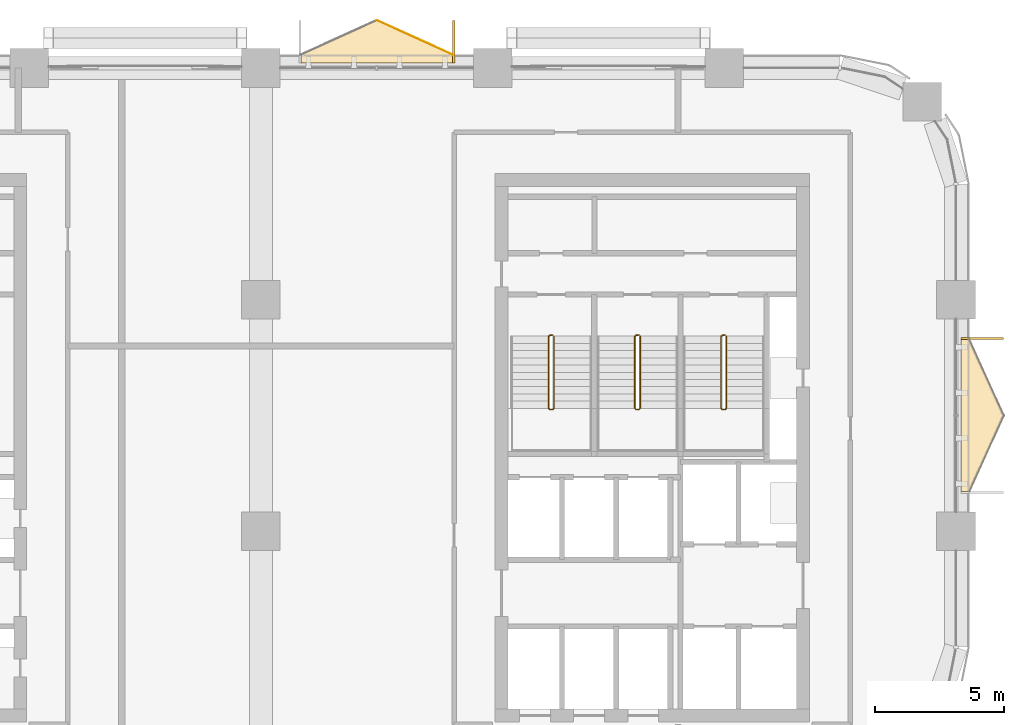
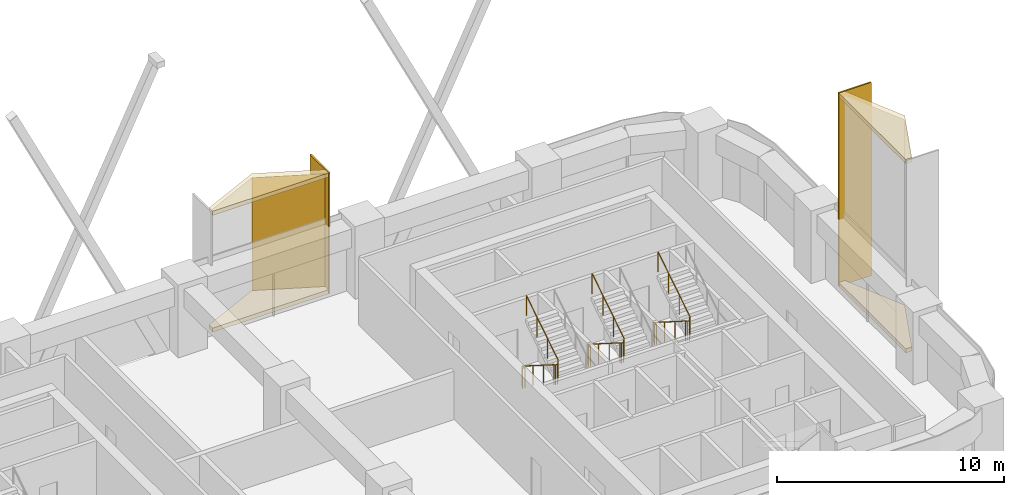
# One storey, part 14 of 14: 7 coverings, 3 railings.
"""IFC4 building model written with IfcOpenShell, lengths in metres."""

from ifc_helpers import new_model, si_unit, direction, frame, origin, origin_2d, place, context, subcontext, project, spatial, polyline, rectangle, circle, outline, extrude, material, layer, layer_set, type_object, element, save


model = new_model("IFC4")

# Units and contexts
model_context = context("Model", 3, precision=1e-05, world=origin(), true_north=direction((0.0, 1.0)))
body_context = subcontext(model_context, "Body", "Model", "MODEL_VIEW")
ifc_project = project(units=[si_unit("LENGTHUNIT", "METRE"), si_unit("AREAUNIT", "SQUARE_METRE"), si_unit("VOLUMEUNIT", "CUBIC_METRE"), si_unit("PLANEANGLEUNIT", "RADIAN"), si_unit("MASSUNIT", "GRAM", prefix="KILO")], contexts=[model_context])

# Site, building, storey
site_placement = place(None, origin())
site = spatial("IfcSite", under=ifc_project, at=site_placement, CompositionType="ELEMENT")
building_placement = place(site_placement, origin())
building = spatial("IfcBuilding", under=site, at=building_placement, Name="Tessera Arch", CompositionType="ELEMENT")
storey_placement = place(building_placement, frame((0.0, 0.0, 181.699951171875)))
storey = spatial("IfcBuildingStorey", under=building, at=storey_placement, Name="L43", CompositionType="ELEMENT", Elevation=181.699951171875)

# Railings
ifc_material_1 = material(Name="Painted steel balustrade", Category="steel")
railing_type = type_object("IfcRailingType", Name="Stair guard 1100", PredefinedType="GUARDRAIL", material=ifc_material_1)
railing_1_placement = place(storey_placement, frame((38.219970703125, 43.6298828125, 0.0)))
element("IfcRailing", 1, at=railing_1_placement, inside=storey, type_object=railing_type, Name="L43 S1a stair guard 1", PredefinedType="GUARDRAIL", context=body_context, shape_type="SweptSolid", body=[
    extrude(circle(Radius=0.02392578125, at=origin_2d()), frame((-0.00390625, 0.0, 1.076171875), z_axis=(1.0, 0.0, 0.0), x_axis=(0.0, 1.0, 0.0)), (0.0, 0.0, 1.0), 0.1181640625),
    extrude(circle(Radius=0.02392578125, at=origin_2d()), frame((0.11279296875, 0.000732421875, 1.0732421875), z_axis=(-0.656319048605, -0.204099216335, 0.726353093426), x_axis=(0.296948579431, -0.954893471113, 0.0)), (0.0, 0.0, 1.0), 0.251953125),
    extrude(circle(Radius=0.02392578125, at=origin_2d()), frame((-0.050048828125, -0.04638671875, 1.251220703125), z_axis=(0.0, -0.844908973607, 0.534910110503), x_axis=(1.0, 0.0, 0.0)), (0.0, 0.0, 1.0), 3.322021484375),
    extrude(circle(Radius=0.02392578125, at=origin_2d()), frame((-0.052978515625, -2.846923828125, 3.02587890625), z_axis=(0.707106781187, -0.707106781187, 0.0), x_axis=(0.707106781187, 0.707106781187, 0.0)), (0.0, 0.0, 1.0), 0.078857421875),
    extrude(circle(Radius=0.02392578125, at=origin_2d()), frame((-0.00390625, -2.89990234375, 3.02587890625), z_axis=(1.0, 0.0, 0.0), x_axis=(0.0, 1.0, 0.0)), (0.0, 0.0, 1.0), 0.1181640625),
    extrude(circle(Radius=0.02392578125, at=origin_2d()), frame((0.109130859375, -2.90087890625, 3.022216796875), z_axis=(0.260731885961, 0.262009983441, 0.929176868105), x_axis=(-0.708833529934, 0.705375805398, 0.0)), (0.0, 0.0, 1.0), 0.198974609375),
    extrude(circle(Radius=0.02392578125, at=origin_2d()), frame((0.159912109375, -2.853271484375, 3.201416015625), z_axis=(0.0, 0.844908973607, 0.534910110503), x_axis=(-1.0, 0.0, 0.0)), (0.0, 0.0, 1.0), 3.322021484375),
    extrude(circle(Radius=0.02099609375, at=origin_2d()), origin(), (0.0, 0.0, 1.0), 1.06396484375),
    extrude(circle(Radius=0.02099609375, at=origin_2d()), frame((0.110107421875, 0.0, 0.0)), (0.0, 0.0, 1.0), 1.06396484375),
    extrude(circle(Radius=0.02099609375, at=origin_2d()), frame((-0.050048828125, -0.0498046875, 0.17724609375)), (0.0, 0.0, 1.0), 1.06396484375),
    extrude(circle(Radius=0.02099609375, at=origin_2d()), frame((-0.050048828125, -0.983154296875, 0.76806640625)), (0.0, 0.0, 1.0), 1.06396484375),
    extrude(circle(Radius=0.02099609375, at=origin_2d()), frame((-0.050048828125, -1.91650390625, 1.359130859375)), (0.0, 0.0, 1.0), 1.06396484375),
    extrude(circle(Radius=0.02099609375, at=origin_2d()), frame((-0.050048828125, -2.849853515625, 1.949951171875)), (0.0, 0.0, 1.0), 1.06396484375),
    extrude(circle(Radius=0.02099609375, at=origin_2d()), frame((0.0, -2.89990234375, 1.949951171875)), (0.0, 0.0, 1.0), 1.06396484375),
    extrude(circle(Radius=0.02099609375, at=origin_2d()), frame((0.110107421875, -2.89990234375, 1.949951171875)), (0.0, 0.0, 1.0), 1.06396484375),
    extrude(circle(Radius=0.02099609375, at=origin_2d()), frame((0.159912109375, -2.849853515625, 2.12744140625)), (0.0, 0.0, 1.0), 1.06396484375),
    extrude(circle(Radius=0.02099609375, at=origin_2d()), frame((0.159912109375, -1.91650390625, 2.71826171875)), (0.0, 0.0, 1.0), 1.06396484375),
    extrude(circle(Radius=0.02099609375, at=origin_2d()), frame((0.159912109375, -0.983154296875, 3.309326171875)), (0.0, 0.0, 1.0), 1.06396484375),
    extrude(circle(Radius=0.02099609375, at=origin_2d()), frame((0.159912109375, -0.0498046875, 3.900146484375)), (0.0, 0.0, 1.0), 1.06396484375),
])
railing_2_placement = place(storey_placement, frame((41.570068359375, 43.6298828125, 0.0)))
element("IfcRailing", 2, at=railing_2_placement, inside=storey, type_object=railing_type, Name="L43 S1b stair guard 1", PredefinedType="GUARDRAIL", context=body_context, shape_type="SweptSolid", body=[
    extrude(circle(Radius=0.02392578125, at=origin_2d()), frame((-0.00390625, 0.0, 1.076171875), z_axis=(1.0, 0.0, 0.0), x_axis=(0.0, 1.0, 0.0)), (0.0, 0.0, 1.0), 0.117919921875),
    extrude(circle(Radius=0.02392578125, at=origin_2d()), frame((0.112548828125, 0.000732421875, 1.0732421875), z_axis=(-0.65574896516, -0.204233265485, 0.726830150696), x_axis=(0.297361876254, -0.954764847777, 0.0)), (0.0, 0.0, 1.0), 0.251953125),
    extrude(circle(Radius=0.02392578125, at=origin_2d()), frame((-0.050048828125, -0.04638671875, 1.251220703125), z_axis=(0.0, -0.844908973607, 0.534910110503), x_axis=(1.0, 0.0, 0.0)), (0.0, 0.0, 1.0), 3.322021484375),
    extrude(circle(Radius=0.02392578125, at=origin_2d()), frame((-0.052978515625, -2.846923828125, 3.02587890625), z_axis=(0.707106781187, -0.707106781187, 0.0), x_axis=(0.707106781187, 0.707106781187, 0.0)), (0.0, 0.0, 1.0), 0.078857421875),
    extrude(circle(Radius=0.02392578125, at=origin_2d()), frame((-0.00390625, -2.89990234375, 3.02587890625), z_axis=(1.0, 0.0, 0.0), x_axis=(0.0, 1.0, 0.0)), (0.0, 0.0, 1.0), 0.117919921875),
    extrude(circle(Radius=0.02392578125, at=origin_2d()), frame((0.10888671875, -2.90087890625, 3.022216796875), z_axis=(0.261922500866, 0.261922500866, 0.928866625022), x_axis=(-0.707106781187, 0.707106781187, 0.0)), (0.0, 0.0, 1.0), 0.198974609375),
    extrude(circle(Radius=0.02392578125, at=origin_2d()), frame((0.159912109375, -2.853271484375, 3.201416015625), z_axis=(0.0, 0.844908973607, 0.534910110503), x_axis=(-1.0, 0.0, 0.0)), (0.0, 0.0, 1.0), 3.322021484375),
    extrude(circle(Radius=0.02099609375, at=origin_2d()), origin(), (0.0, 0.0, 1.0), 1.06396484375),
    extrude(circle(Radius=0.02099609375, at=origin_2d()), frame((0.10986328125, 0.0, 0.0)), (0.0, 0.0, 1.0), 1.06396484375),
    extrude(circle(Radius=0.02099609375, at=origin_2d()), frame((-0.050048828125, -0.0498046875, 0.17724609375)), (0.0, 0.0, 1.0), 1.06396484375),
    extrude(circle(Radius=0.02099609375, at=origin_2d()), frame((-0.050048828125, -0.983154296875, 0.76806640625)), (0.0, 0.0, 1.0), 1.06396484375),
    extrude(circle(Radius=0.02099609375, at=origin_2d()), frame((-0.050048828125, -1.91650390625, 1.359130859375)), (0.0, 0.0, 1.0), 1.06396484375),
    extrude(circle(Radius=0.02099609375, at=origin_2d()), frame((-0.050048828125, -2.849853515625, 1.949951171875)), (0.0, 0.0, 1.0), 1.06396484375),
    extrude(circle(Radius=0.02099609375, at=origin_2d()), frame((0.0, -2.89990234375, 1.949951171875)), (0.0, 0.0, 1.0), 1.06396484375),
    extrude(circle(Radius=0.02099609375, at=origin_2d()), frame((0.10986328125, -2.89990234375, 1.949951171875)), (0.0, 0.0, 1.0), 1.06396484375),
    extrude(circle(Radius=0.02099609375, at=origin_2d()), frame((0.159912109375, -2.849853515625, 2.12744140625)), (0.0, 0.0, 1.0), 1.06396484375),
    extrude(circle(Radius=0.02099609375, at=origin_2d()), frame((0.159912109375, -1.91650390625, 2.71826171875)), (0.0, 0.0, 1.0), 1.06396484375),
    extrude(circle(Radius=0.02099609375, at=origin_2d()), frame((0.159912109375, -0.983154296875, 3.309326171875)), (0.0, 0.0, 1.0), 1.06396484375),
    extrude(circle(Radius=0.02099609375, at=origin_2d()), frame((0.159912109375, -0.0498046875, 3.900146484375)), (0.0, 0.0, 1.0), 1.06396484375),
])
railing_3_placement = place(storey_placement, frame((44.919921875, 43.6298828125, 0.0)))
element("IfcRailing", 3, at=railing_3_placement, inside=storey, type_object=railing_type, Name="L43 S1c stair guard 1", PredefinedType="GUARDRAIL", context=body_context, shape_type="SweptSolid", body=[
    extrude(circle(Radius=0.02392578125, at=origin_2d()), frame((-0.00390625, 0.0, 1.076171875), z_axis=(1.0, 0.0, 0.0), x_axis=(0.0, 1.0, 0.0)), (0.0, 0.0, 1.0), 0.1181640625),
    extrude(circle(Radius=0.02392578125, at=origin_2d()), frame((0.11279296875, 0.000732421875, 1.0732421875), z_axis=(-0.65574896516, -0.204233265485, 0.726830150696), x_axis=(0.297361876254, -0.954764847777, 0.0)), (0.0, 0.0, 1.0), 0.251953125),
    extrude(circle(Radius=0.02392578125, at=origin_2d()), frame((-0.0498046875, -0.04638671875, 1.251220703125), z_axis=(0.0, -0.844908973607, 0.534910110503), x_axis=(1.0, 0.0, 0.0)), (0.0, 0.0, 1.0), 3.322021484375),
    extrude(circle(Radius=0.02392578125, at=origin_2d()), frame((-0.052734375, -2.846923828125, 3.02587890625), z_axis=(0.705375805398, -0.708833529934, 0.0), x_axis=(0.708833529934, 0.705375805398, 0.0)), (0.0, 0.0, 1.0), 0.07861328125),
    extrude(circle(Radius=0.02392578125, at=origin_2d()), frame((-0.00390625, -2.89990234375, 3.02587890625), z_axis=(1.0, 0.0, 0.0), x_axis=(0.0, 1.0, 0.0)), (0.0, 0.0, 1.0), 0.1181640625),
    extrude(circle(Radius=0.02392578125, at=origin_2d()), frame((0.109130859375, -2.90087890625, 3.022216796875), z_axis=(0.261922500866, 0.261922500866, 0.928866625022), x_axis=(-0.707106781187, 0.707106781187, 0.0)), (0.0, 0.0, 1.0), 0.198974609375),
    extrude(circle(Radius=0.02392578125, at=origin_2d()), frame((0.16015625, -2.853271484375, 3.201416015625), z_axis=(0.0, 0.844908973607, 0.534910110503), x_axis=(-1.0, 0.0, 0.0)), (0.0, 0.0, 1.0), 3.322021484375),
    extrude(circle(Radius=0.02099609375, at=origin_2d()), origin(), (0.0, 0.0, 1.0), 1.06396484375),
    extrude(circle(Radius=0.02099609375, at=origin_2d()), frame((0.110107421875, 0.0, 0.0)), (0.0, 0.0, 1.0), 1.06396484375),
    extrude(circle(Radius=0.02099609375, at=origin_2d()), frame((-0.0498046875, -0.0498046875, 0.17724609375)), (0.0, 0.0, 1.0), 1.06396484375),
    extrude(circle(Radius=0.02099609375, at=origin_2d()), frame((-0.0498046875, -0.983154296875, 0.76806640625)), (0.0, 0.0, 1.0), 1.06396484375),
    extrude(circle(Radius=0.02099609375, at=origin_2d()), frame((-0.0498046875, -1.91650390625, 1.359130859375)), (0.0, 0.0, 1.0), 1.06396484375),
    extrude(circle(Radius=0.02099609375, at=origin_2d()), frame((-0.0498046875, -2.849853515625, 1.949951171875)), (0.0, 0.0, 1.0), 1.06396484375),
    extrude(circle(Radius=0.02099609375, at=origin_2d()), frame((0.0, -2.89990234375, 1.949951171875)), (0.0, 0.0, 1.0), 1.06396484375),
    extrude(circle(Radius=0.02099609375, at=origin_2d()), frame((0.110107421875, -2.89990234375, 1.949951171875)), (0.0, 0.0, 1.0), 1.06396484375),
    extrude(circle(Radius=0.02099609375, at=origin_2d()), frame((0.16015625, -2.849853515625, 2.12744140625)), (0.0, 0.0, 1.0), 1.06396484375),
    extrude(circle(Radius=0.02099609375, at=origin_2d()), frame((0.16015625, -1.91650390625, 2.71826171875)), (0.0, 0.0, 1.0), 1.06396484375),
    extrude(circle(Radius=0.02099609375, at=origin_2d()), frame((0.16015625, -0.983154296875, 3.309326171875)), (0.0, 0.0, 1.0), 1.06396484375),
    extrude(circle(Radius=0.02099609375, at=origin_2d()), frame((0.16015625, -0.0498046875, 3.900146484375)), (0.0, 0.0, 1.0), 1.06396484375),
])

# Coverings
ifc_material_2 = material(Name="Anodised aluminium pale metal", Category="aluminium")
ifc_layer_1 = layer(ifc_material_2, 0.080078125)
ifc_layer_set_1 = layer_set([ifc_layer_1], Name="Window box cheek")
covering_type_1 = type_object("IfcCoveringType", Name="Window box cheek", PredefinedType="CLADDING", material=ifc_layer_set_1)
covering_1_placement = place(storey_placement, origin())
element("IfcCovering", 4, at=covering_1_placement, inside=storey, type_object=covering_type_1, Name="Window box N54.0/2.0 2x2 cheek", PredefinedType="CLADDING", context=body_context, shape_type="SweptSolid", body=[
    extrude(outline(polyline([(34.530029296875, 55.85009765625), (34.449951171875, 55.85009765625), (34.449951171875, 54.199951171875), (34.530029296875, 54.199951171875), (34.530029296875, 55.85009765625)])), origin(), (0.0, 0.0, 1.0), 6.5),
])
covering_2_placement = place(storey_placement, origin())
element("IfcCovering", 5, at=covering_2_placement, inside=storey, type_object=covering_type_1, Name="Window box E54.27/0.0 2x3 cheek", PredefinedType="CLADDING", context=body_context, shape_type="SweptSolid", body=[
    extrude(outline(polyline([(55.85009765625, 43.449951171875), (55.85009765625, 43.530029296875), (54.199951171875, 43.530029296875), (54.199951171875, 43.449951171875), (55.85009765625, 43.449951171875)])), origin(), (0.0, 0.0, 1.0), 10.400146484375),
])
ifc_material_3 = material(Name="Anodised aluminium pale metal", Category="aluminium")
ifc_layer_2 = layer(ifc_material_3, 0.219970703125)
ifc_layer_set_2 = layer_set([ifc_layer_2], Name="Window box frame plate pale metal")
covering_type_2 = type_object("IfcCoveringType", Name="Window box frame plate pale metal", PredefinedType="CLADDING", material=ifc_layer_set_2)
for number, where, name in (
    (6, (0.0, 0.0, 0.0), "Window box N54.0/2.0 2x2 floor"),
    (7, (0.0, 0.0, 6.280029296875), "Window box N54.0/2.0 2x2 roof"),
):
    element("IfcCovering", number, at=place(storey_placement, frame(where)), inside=storey, type_object=covering_type_2, Name=name, PredefinedType="CLADDING", context=body_context, shape_type="SweptSolid", body=[
        extrude(outline(polyline([(34.449951171875, 54.510009765625), (31.5, 55.85009765625), (28.550048828125, 54.510009765625), (28.550048828125, 54.199951171875), (34.449951171875, 54.199951171875), (34.449951171875, 54.510009765625)])), origin(), (0.0, 0.0, 1.0), 0.219970703125),
    ])
covering_3_placement = place(storey_placement, origin())
element("IfcCovering", 8, at=covering_3_placement, inside=storey, type_object=covering_type_2, Name="Window box E54.27/0.0 2x3 floor", PredefinedType="CLADDING", context=body_context, shape_type="SweptSolid", body=[
    extrude(outline(polyline([(54.510009765625, 37.550048828125), (55.85009765625, 40.5), (54.510009765625, 43.449951171875), (54.199951171875, 43.449951171875), (54.199951171875, 37.550048828125), (54.510009765625, 37.550048828125)])), origin(), (0.0, 0.0, 1.0), 0.219970703125),
])
covering_4_placement = place(storey_placement, frame((0.0, 0.0, 10.179931640625)))
element("IfcCovering", 9, at=covering_4_placement, inside=storey, type_object=covering_type_2, Name="Window box E54.27/0.0 2x3 roof", PredefinedType="CLADDING", context=body_context, shape_type="SweptSolid", body=[
    extrude(outline(polyline([(54.510009765625, 37.550048828125), (55.85009765625, 40.5), (54.510009765625, 43.449951171875), (54.199951171875, 43.449951171875), (54.199951171875, 37.550048828125), (54.510009765625, 37.550048828125)])), origin(), (0.0, 0.0, 1.0), 0.22021484375),
])
ifc_material_4 = material(Name="Anodised aluminium pale metal", Category="aluminium")
ifc_layer_3 = layer(ifc_material_4, 0.028076171875)
ifc_layer_set_3 = layer_set([ifc_layer_3], Name="Window box side panel")
covering_type_3 = type_object("IfcCoveringType", Name="Window box side panel", PredefinedType="CLADDING", material=ifc_layer_set_3)
covering_5_placement = place(storey_placement, frame((32.97509765625, 55.179931640625, 0.219970703125), z_axis=(0.0, 0.0, 1.0), x_axis=(-0.910472144558, 0.413570397858, 0.0)))
element("IfcCovering", 10, at=covering_5_placement, inside=storey, type_object=covering_type_3, Name="Window box N54.0/2.0 2x2 side panel", PredefinedType="CLADDING", context=body_context, shape_type="SweptSolid", body=[
    extrude(rectangle(XDim=3.239990234375, YDim=0.028076171875, at=origin_2d()), origin(), (0.0, 0.0, 1.0), 6.06005859375),
])

save(model, "model.ifc")
